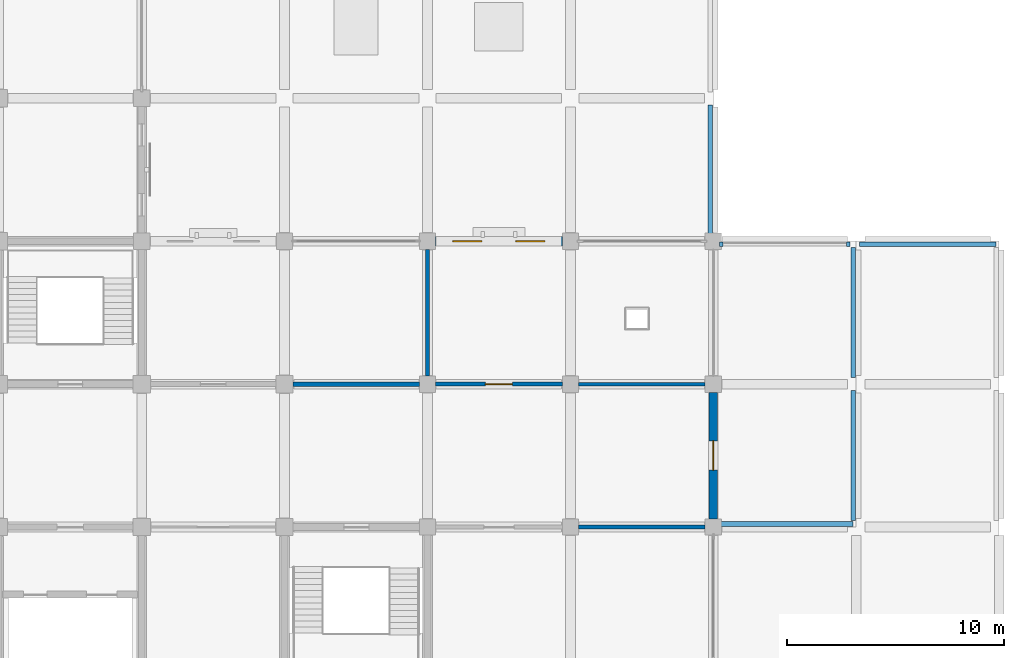
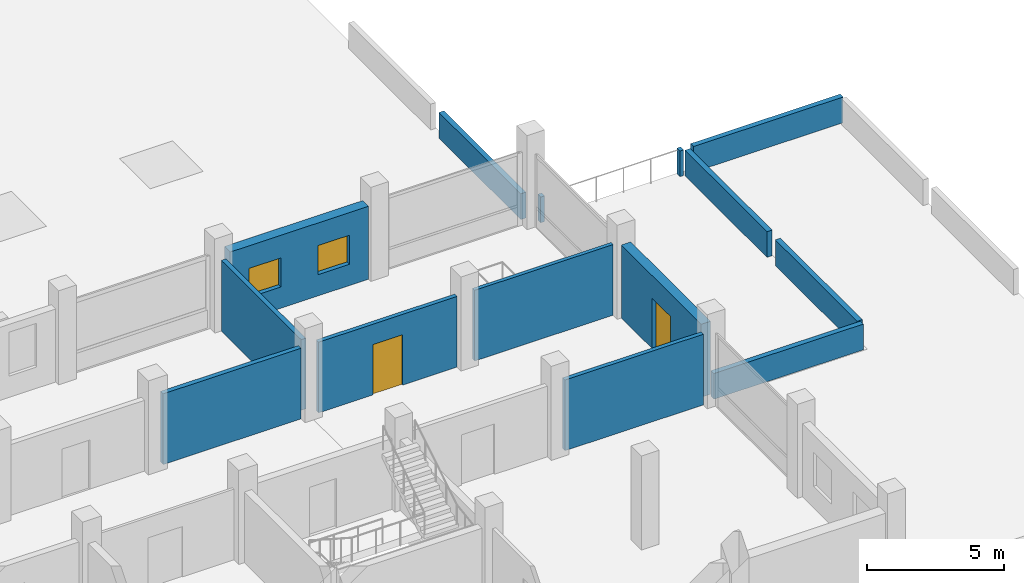
# One storey, part 16 of 23: 14 walls, 2 doors, 2 windows, 4 openings.
"""IFC4 building model written with IfcOpenShell, lengths in metres."""

from ifc_helpers import new_model, si_unit, direction, frame, frame_2d, origin, place, context, subcontext, project, spatial, rectangle, extrude, material, layer, layer_set, type_object, element, fill, save


model = new_model("IFC4")

# Units and contexts
model_context = context("Model", 3, precision=1e-05, world=origin(), true_north=direction((0.0, 1.0)))
body_context = subcontext(model_context, "Body", "Model", "MODEL_VIEW")
ifc_project = project(units=[si_unit("LENGTHUNIT", "METRE"), si_unit("AREAUNIT", "SQUARE_METRE"), si_unit("VOLUMEUNIT", "CUBIC_METRE"), si_unit("PLANEANGLEUNIT", "RADIAN"), si_unit("MASSUNIT", "GRAM", prefix="KILO")], contexts=[model_context])

# Site, building, storey
site_placement = place(None, origin())
site = spatial("IfcSite", under=ifc_project, at=site_placement, CompositionType="ELEMENT")
building_placement = place(site_placement, origin())
building = spatial("IfcBuilding", under=site, at=building_placement, Name="Rusizi Kubbe Research Institute", CompositionType="ELEMENT")
storey_placement = place(building_placement, frame((0.0, 0.0, 18.60009765625)))
storey = spatial("IfcBuildingStorey", under=building, at=storey_placement, Name="L04", CompositionType="ELEMENT", Elevation=18.60009765625)

# Wall, openings, windows
ifc_material_1 = material(Name="Volcanic Basalt Ashlar Masonry", Category="masonry")
ifc_layer_1 = layer(ifc_material_1, 0.419921875)
ifc_layer_set_1 = layer_set([ifc_layer_1], Name="Volcanic Basalt Ashlar Masonry")
wall_type_1 = type_object("IfcWallType", Name="EW-02", PredefinedType="SOLIDWALL", material=ifc_layer_set_1)
wall_1_placement = place(storey_placement, frame((39.97509765625, 26.39990234375, 0.0), z_axis=(0.0, 0.0, 1.0), x_axis=(1.0, 0.0, 0.0)))
wall_1 = element("IfcWall", 1, at=wall_1_placement, inside=storey, type_object=wall_type_1, Name="Ablaq Stone Exterior Wall L04 H6-4", PredefinedType="SOLIDWALL", context=body_context, shape_type="SweptSolid", body=[
    extrude(rectangle(XDim=5.849853515625, YDim=0.419921875, at=frame_2d((2.9248046875, 0.0))), origin(), (0.0, 0.0, 1.0), 3.260009765625),
])
opening_1_placement = place(wall_1_placement, frame((0.800048828125, 0.0, 0.949951171875)))
opening_1 = element("IfcOpeningElement", 2, at=opening_1_placement, cuts=wall_1, Name="Opening WN-13", PredefinedType="OPENING", context=body_context, shape_type="SweptSolid", body=[
    extrude(rectangle(XDim=1.340087890625, YDim=1.300048828125, at=frame_2d((0.669921875, 0.64990234375))), frame((0.0, 0.219970703125, 0.0), z_axis=(0.0, -1.0, 0.0), x_axis=(1.0, 0.0, 0.0)), (0.0, 0.0, 1.0), 0.43994140625),
])
opening_2_placement = place(wall_1_placement, frame((3.7099609375, 0.0, 0.949951171875)))
opening_2 = element("IfcOpeningElement", 3, at=opening_2_placement, cuts=wall_1, Name="Opening WN-13", PredefinedType="OPENING", context=body_context, shape_type="SweptSolid", body=[
    extrude(rectangle(XDim=1.340087890625, YDim=1.300048828125, at=frame_2d((0.669921875, 0.64990234375))), frame((0.0, 0.219970703125, 0.0), z_axis=(0.0, -1.0, 0.0), x_axis=(1.0, 0.0, 0.0)), (0.0, 0.0, 1.0), 0.43994140625),
])
ifc_material_2 = material(Name="Aluminium Frame and Solar-Control Double Glazing", Category="glass")
window_type = type_object("IfcWindowType", Name="WN-13", PartitioningType="SINGLE_PANEL", PredefinedType="WINDOW", material=ifc_material_2)
window_1_placement = place(opening_1_placement, origin())
window_1 = element("IfcWindow", 4, at=window_1_placement, inside=storey, type_object=window_type, Name="Casement Window WN-13 L04", OverallHeight=1.300048828125, OverallWidth=1.340087890625, PartitioningType="SINGLE_PANEL", PredefinedType="WINDOW", context=body_context, shape_type="SweptSolid", body=[
    extrude(rectangle(XDim=1.340087890625, YDim=1.300048828125, at=frame_2d((0.669921875, 0.64990234375))), frame((0.0, 0.030029296875, 0.0), z_axis=(0.0, -1.0, 0.0), x_axis=(1.0, 0.0, 0.0)), (0.0, 0.0, 1.0), 0.06005859375),
])
fill(opening_1, window_1)
window_2_placement = place(opening_2_placement, origin())
window_2 = element("IfcWindow", 5, at=window_2_placement, inside=storey, type_object=window_type, Name="Casement Window WN-13 L04", OverallHeight=1.300048828125, OverallWidth=1.340087890625, PartitioningType="SINGLE_PANEL", PredefinedType="WINDOW", context=body_context, shape_type="SweptSolid", body=[
    extrude(rectangle(XDim=1.340087890625, YDim=1.300048828125, at=frame_2d((0.669921875, 0.64990234375))), frame((0.0, 0.030029296875, 0.0), z_axis=(0.0, -1.0, 0.0), x_axis=(1.0, 0.0, 0.0)), (0.0, 0.0, 1.0), 0.06005859375),
])
fill(opening_2, window_2)

# Wall, opening, door
ifc_material_3 = material(Name="Volcanic Basalt Ashlar Masonry", Category="masonry")
ifc_layer_2 = layer(ifc_material_3, 0.39990234375)
ifc_layer_set_2 = layer_set([ifc_layer_2], Name="Volcanic Basalt Ashlar Masonry")
wall_type_2 = type_object("IfcWallType", Name="EW-03", PredefinedType="SOLIDWALL", material=ifc_layer_set_2)
wall_2_placement = place(storey_placement, frame((52.800048828125, 13.574951171875, 0.0), z_axis=(0.0, 0.0, 1.0), x_axis=(0.0, 1.0, 0.0)))
wall_2 = element("IfcWall", 6, at=wall_2_placement, inside=storey, type_object=wall_type_2, Name="Terrace Access Wall L04 V8-2", PredefinedType="SOLIDWALL", context=body_context, shape_type="SweptSolid", body=[
    extrude(rectangle(XDim=5.85009765625, YDim=0.39990234375, at=frame_2d((2.925048828125, 0.0))), origin(), (0.0, 0.0, 1.0), 3.260009765625),
])
opening_3_placement = place(wall_2_placement, frame((2.25, 0.0, 0.0)))
opening_3 = element("IfcOpeningElement", 7, at=opening_3_placement, cuts=wall_2, Name="Opening D-35", PredefinedType="OPENING", context=body_context, shape_type="SweptSolid", body=[
    extrude(rectangle(XDim=1.35009765625, YDim=2.25, at=frame_2d((0.675048828125, 1.125))), frame((0.0, 0.2099609375, 0.0), z_axis=(0.0, -1.0, 0.0), x_axis=(1.0, 0.0, 0.0)), (0.0, 0.0, 1.0), 0.419921875),
])
ifc_material_4 = material(Name="Insulated Steel and Laminated Safety Glass", Category="steel")
door_type_1 = type_object("IfcDoorType", Name="ED-05", OperationType="NOTDEFINED", PredefinedType="DOOR", material=ifc_material_4)
door_1_placement = place(opening_3_placement, origin())
door_1 = element("IfcDoor", 8, at=door_1_placement, inside=storey, type_object=door_type_1, Name="Roof Terrace Door L04-T05", OperationType="SINGLE_SWING_LEFT", OverallHeight=2.25, OverallWidth=1.35009765625, PredefinedType="DOOR", context=body_context, shape_type="SweptSolid", body=[
    extrude(rectangle(XDim=1.35009765625, YDim=2.25, at=frame_2d((0.675048828125, 1.125))), frame((0.0, 0.02490234375, 0.0), z_axis=(0.0, -1.0, 0.0), x_axis=(1.0, 0.0, 0.0)), (0.0, 0.0, 1.0), 0.050048828125),
])
fill(opening_3, door_1)

# Walls
ifc_material_5 = material(Name="Insulated Cleanroom Partition", Category="masonry")
ifc_layer_3 = layer(ifc_material_5, 0.195068359375)
ifc_layer_set_3 = layer_set([ifc_layer_3], Name="Insulated Cleanroom Partition")
wall_type_3 = type_object("IfcWallType", Name="IW-02", PredefinedType="PARTITIONING", material=ifc_layer_set_3)
wall_3_placement = place(storey_placement, frame((33.39990234375, 19.800048828125, 0.0), z_axis=(0.0, 0.0, 1.0), x_axis=(1.0, 0.0, 0.0)))
element("IfcWall", 9, at=wall_3_placement, inside=storey, type_object=wall_type_3, Name="Interior Partition Wall L04 H5-3", PredefinedType="PARTITIONING", context=body_context, shape_type="SweptSolid", body=[
    extrude(rectangle(XDim=5.8251953125, YDim=0.195068359375, at=frame_2d((2.91259765625, 0.0))), origin(), (0.0, 0.0, 1.0), 3.159912109375),
])
wall_4_placement = place(storey_placement, frame((39.60009765625, 20.175048828125, 0.0), z_axis=(0.0, 0.0, 1.0), x_axis=(0.0, 1.0, 0.0)))
element("IfcWall", 10, at=wall_4_placement, inside=storey, type_object=wall_type_3, Name="Interior Partition Wall L04 V6-3", PredefinedType="PARTITIONING", context=body_context, shape_type="SweptSolid", body=[
    extrude(rectangle(XDim=5.849853515625, YDim=0.195068359375, at=frame_2d((2.9248046875, 0.0))), origin(), (0.0, 0.0, 1.0), 3.159912109375),
])

# Wall, opening, door
ifc_material_6 = material(Name="Acoustic Laboratory Partition", Category="masonry")
ifc_layer_4 = layer(ifc_material_6, 0.175048828125)
ifc_layer_set_4 = layer_set([ifc_layer_4], Name="Acoustic Laboratory Partition")
wall_type_4 = type_object("IfcWallType", Name="IW-03", PredefinedType="PARTITIONING", material=ifc_layer_set_4)
wall_5_placement = place(storey_placement, frame((39.97509765625, 19.800048828125, 0.0), z_axis=(0.0, 0.0, 1.0), x_axis=(1.0, 0.0, 0.0)))
wall_5 = element("IfcWall", 11, at=wall_5_placement, inside=storey, type_object=wall_type_4, Name="Interior Partition Wall L04 H6-3", PredefinedType="PARTITIONING", context=body_context, shape_type="SweptSolid", body=[
    extrude(rectangle(XDim=5.849853515625, YDim=0.175048828125, at=frame_2d((2.9248046875, 0.0))), origin(), (0.0, 0.0, 1.0), 3.159912109375),
])
opening_4_placement = place(wall_5_placement, frame((2.300048828125, 0.0, 0.0)))
opening_4 = element("IfcOpeningElement", 12, at=opening_4_placement, cuts=wall_5, Name="Opening D-15", PredefinedType="OPENING", context=body_context, shape_type="SweptSolid", body=[
    extrude(rectangle(XDim=1.25, YDim=2.25, at=frame_2d((0.625, 1.125))), frame((0.0, 0.097412109375, 0.0), z_axis=(0.0, -1.0, 0.0), x_axis=(1.0, 0.0, 0.0)), (0.0, 0.0, 1.0), 0.195068359375),
])
ifc_material_7 = material(Name="Fire-Rated Steel Frame and Acoustic Timber Leaf", Category="wood")
door_type_2 = type_object("IfcDoorType", Name="ID-LAB-125", OperationType="NOTDEFINED", PredefinedType="DOOR", material=ifc_material_7)
door_2_placement = place(opening_4_placement, origin())
door_2 = element("IfcDoor", 13, at=door_2_placement, inside=storey, type_object=door_type_2, Name="Door to Molecular Diagnostics Laboratory (L04-EWN-02)", OperationType="SINGLE_SWING_LEFT", OverallHeight=2.25, OverallWidth=1.25, PredefinedType="DOOR", context=body_context, shape_type="SweptSolid", body=[
    extrude(rectangle(XDim=1.25, YDim=2.25, at=frame_2d((0.625, 1.125))), frame((0.0, 0.02490234375, 0.0), z_axis=(0.0, -1.0, 0.0), x_axis=(1.0, 0.0, 0.0)), (0.0, 0.0, 1.0), 0.050048828125),
])
fill(opening_4, door_2)

# Walls
wall_6_placement = place(storey_placement, frame((46.574951171875, 13.199951171875, 0.0), z_axis=(0.0, 0.0, 1.0), x_axis=(1.0, 0.0, 0.0)))
element("IfcWall", 14, at=wall_6_placement, inside=storey, type_object=wall_type_4, Name="Interior Partition Wall L04 H7-2", PredefinedType="PARTITIONING", context=body_context, shape_type="SweptSolid", body=[
    extrude(rectangle(XDim=5.85009765625, YDim=0.175048828125, at=frame_2d((2.925048828125, 0.0))), origin(), (0.0, 0.0, 1.0), 3.159912109375),
])
ifc_material_8 = material(Name="Fire-Rated Corridor Partition", Category="masonry")
ifc_layer_5 = layer(ifc_material_8, 0.155029296875)
ifc_layer_set_5 = layer_set([ifc_layer_5], Name="Fire-Rated Corridor Partition")
wall_type_5 = type_object("IfcWallType", Name="IW-04", PredefinedType="PARTITIONING", material=ifc_layer_set_5)
wall_7_placement = place(storey_placement, frame((46.574951171875, 19.800048828125, 0.0), z_axis=(0.0, 0.0, 1.0), x_axis=(1.0, 0.0, 0.0)))
element("IfcWall", 15, at=wall_7_placement, inside=storey, type_object=wall_type_5, Name="Interior Partition Wall L04 H7-3", PredefinedType="PARTITIONING", context=body_context, shape_type="SweptSolid", body=[
    extrude(rectangle(XDim=5.85009765625, YDim=0.155029296875, at=frame_2d((2.925048828125, 0.0))), origin(), (0.0, 0.0, 1.0), 3.159912109375),
])
ifc_material_9 = material(Name="Volcanic Basalt Ashlar Masonry", Category="masonry")
ifc_layer_6 = layer(ifc_material_9, 0.215087890625)
ifc_layer_set_6 = layer_set([ifc_layer_6], Name="Volcanic Basalt Ashlar Masonry")
wall_type_6 = type_object("IfcWallType", Name="PRP-02", PredefinedType="PARAPET", material=ifc_layer_set_6)
wall_8_placement = place(storey_placement, frame((52.93994140625, 13.340087890625, 0.0), z_axis=(0.0, 0.0, 1.0), x_axis=(1.0, 0.0, 0.0)))
element("IfcWall", 16, at=wall_8_placement, inside=storey, type_object=wall_type_6, Name="Terrace Divider Parapet Wall L04-001", PredefinedType="PARAPET", context=body_context, shape_type="SweptSolid", body=[
    extrude(rectangle(XDim=6.320068359375, YDim=0.215087890625, at=frame_2d((3.16015625, 0.0))), origin(), (0.0, 0.0, 1.0), 1.14990234375),
])
for number, where, z_axis, x_axis, name in (
    (17, (59.260009765625, 13.5, 0.0), (0.0, 0.0, 1.0), (0.0, 1.0, 0.0), "Terrace Divider Parapet Wall L04-002"),
    (18, (59.260009765625, 20.10009765625, 0.0), (0.0, 0.0, 1.0), (0.0, 1.0, 0.0), "Terrace Divider Parapet Wall L04-003"),
):
    element("IfcWall", number, at=place(storey_placement, frame(where, z_axis=z_axis, x_axis=x_axis)), inside=storey, type_object=wall_type_6, Name=name, PredefinedType="PARAPET", context=body_context, shape_type="SweptSolid", body=[
        extrude(rectangle(XDim=6.0, YDim=0.215087890625, at=frame_2d((3.0, 0.0))), origin(), (0.0, 0.0, 1.0), 1.14990234375),
    ])
wall_9_placement = place(storey_placement, frame((53.080078125, 26.260009765625, 0.0), z_axis=(0.0, 0.0, 1.0), x_axis=(1.0, 0.0, 0.0)))
element("IfcWall", 19, at=wall_9_placement, inside=storey, type_object=wall_type_6, Name="Terrace Corner Parapet L04-004", PredefinedType="PARAPET", context=body_context, shape_type="SweptSolid", body=[
    extrude(rectangle(XDim=0.159912109375, YDim=0.215087890625, at=frame_2d((0.080078125, 0.0))), origin(), (0.0, 0.0, 1.0), 1.14990234375),
])
wall_10_placement = place(storey_placement, frame((58.9599609375, 26.260009765625, 0.0), z_axis=(0.0, 0.0, 1.0), x_axis=(1.0, 0.0, 0.0)))
element("IfcWall", 20, at=wall_10_placement, inside=storey, type_object=wall_type_6, Name="Terrace Corner Parapet L04-005", PredefinedType="PARAPET", context=body_context, shape_type="SweptSolid", body=[
    extrude(rectangle(XDim=0.16015625, YDim=0.215087890625, at=frame_2d((0.080078125, 0.0))), origin(), (0.0, 0.0, 1.0), 1.14990234375),
])
wall_11_placement = place(storey_placement, frame((52.659912109375, 26.699951171875, 0.0), z_axis=(0.0, 0.0, 1.0), x_axis=(0.0, 1.0, 0.0)))
element("IfcWall", 21, at=wall_11_placement, inside=storey, type_object=wall_type_6, Name="Roof Parapet Wall L04-012", PredefinedType="PARAPET", context=body_context, shape_type="SweptSolid", body=[
    extrude(rectangle(XDim=6.0, YDim=0.215087890625, at=frame_2d((3.0, 0.0))), origin(), (0.0, 0.0, 1.0), 1.14990234375),
])
wall_12_placement = place(storey_placement, frame((59.5400390625, 26.260009765625, 0.0), z_axis=(0.0, 0.0, 1.0), x_axis=(1.0, 0.0, 0.0)))
element("IfcWall", 22, at=wall_12_placement, inside=storey, type_object=wall_type_6, Name="Roof Parapet Wall L04-015", PredefinedType="PARAPET", context=body_context, shape_type="SweptSolid", body=[
    extrude(rectangle(XDim=6.320068359375, YDim=0.215087890625, at=frame_2d((3.16015625, 0.0))), origin(), (0.0, 0.0, 1.0), 1.14990234375),
])

save(model, "model.ifc")
